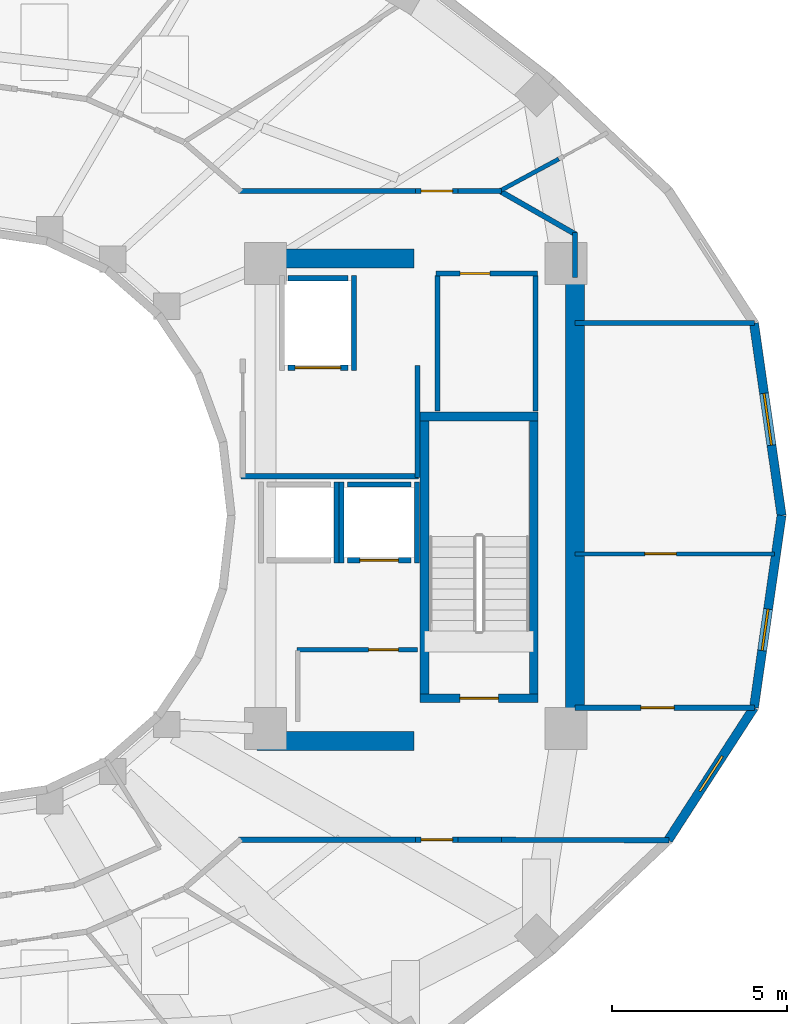
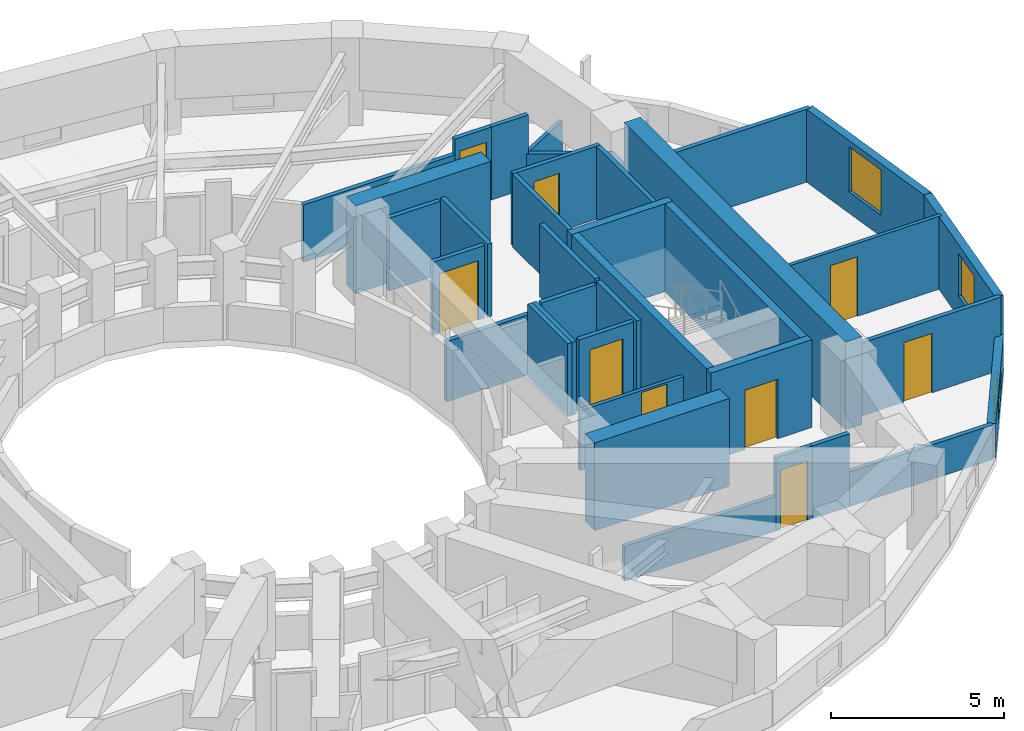
# One storey, part 6 of 9: 37 walls, 9 doors, 3 windows, 12 openings.
"""IFC4 building model written with IfcOpenShell, lengths in metres."""

from ifc_helpers import new_model, si_unit, direction, frame, frame_2d, origin, place, context, subcontext, project, spatial, rectangle, extrude, material, layer, layer_set, type_object, element, fill, save


model = new_model("IFC4")

# Units and contexts
model_context = context("Model", 3, precision=1e-05, world=origin(), true_north=direction((0.0, 1.0)))
body_context = subcontext(model_context, "Body", "Model", "MODEL_VIEW")
ifc_project = project(units=[si_unit("LENGTHUNIT", "METRE"), si_unit("AREAUNIT", "SQUARE_METRE"), si_unit("VOLUMEUNIT", "CUBIC_METRE"), si_unit("PLANEANGLEUNIT", "RADIAN"), si_unit("MASSUNIT", "GRAM", prefix="KILO")], contexts=[model_context])

# Site, building, storey
site_placement = place(None, origin())
site = spatial("IfcSite", under=ifc_project, at=site_placement, CompositionType="ELEMENT")
building_placement = place(site_placement, origin())
building = spatial("IfcBuilding", under=site, at=building_placement, Name="Solvane Sanctuary Tower", CompositionType="ELEMENT")
storey_placement = place(building_placement, frame((0.0, 0.0, 187.0)))
storey = spatial("IfcBuildingStorey", under=building, at=storey_placement, Name="L57", CompositionType="ELEMENT", Elevation=187.0)

# Walls
ifc_material_1 = material(Name="Concrete C50/60", Category="concrete")
ifc_layer_1 = layer(ifc_material_1, 0.550048828125, Name="Concrete C50/60")
ifc_layer_set_1 = layer_set([ifc_layer_1], Name="Concrete C50/60")
wall_type_1 = type_object("IfcWallType", Name="Wall W-CORE-550", PredefinedType="SHEAR", material=ifc_layer_set_1)
wall_1_placement = place(storey_placement, frame((48.949951171875, 17.050048828125, 0.0), z_axis=(0.0, 0.0, 1.0), x_axis=(0.0, 1.0, 0.0)))
element("IfcWall", 1, at=wall_1_placement, inside=storey, type_object=wall_type_1, Name="L57 Core Shear Wall EC-E", PredefinedType="SHEAR", context=body_context, shape_type="SweptSolid", body=[
    extrude(rectangle(XDim=12.800048828125, YDim=0.550048828125, at=frame_2d((6.39990234375, 0.0))), origin(), (0.0, 0.0, 1.0), 3.10009765625),
])
for number, where, z_axis, x_axis, name in (
    (2, (39.85009765625, 16.550048828125, 0.0), (0.0, 0.0, 1.0), (1.0, 0.0, 0.0), "L57 Core Shear Wall EC-S"),
    (3, (39.85009765625, 30.35009765625, 0.0), (0.0, 0.0, 1.0), (1.0, 0.0, 0.0), "L57 Core Shear Wall EC-N"),
):
    element("IfcWall", number, at=place(storey_placement, frame(where, z_axis=z_axis, x_axis=x_axis)), inside=storey, type_object=wall_type_1, Name=name, PredefinedType="SHEAR", context=body_context, shape_type="SweptSolid", body=[
        extrude(rectangle(XDim=4.5, YDim=0.550048828125, at=frame_2d((2.25, 0.0))), origin(), (0.0, 0.0, 1.0), 3.10009765625),
    ])
ifc_material_2 = material(Name="Acoustic Gypsum Partition Board")
ifc_layer_2 = layer(ifc_material_2, 0.14990234375, Name="Acoustic Gypsum Partition Board")
ifc_layer_set_2 = layer_set([ifc_layer_2], Name="Acoustic Gypsum Partition Board")
wall_type_2 = type_object("IfcWallType", Name="Wall W-CORR-150", PredefinedType="PARTITIONING", material=ifc_layer_set_2)
wall_2_placement = place(storey_placement, frame((39.39990234375, 24.1201171875, 0.0), z_axis=(0.0, 0.0, 1.0), x_axis=(1.0, 0.0, 0.0)))
element("IfcWall", 4, at=wall_2_placement, inside=storey, type_object=wall_type_2, Name="L57 East Firefighting Lobby South Wall", PredefinedType="PARTITIONING", context=body_context, shape_type="SweptSolid", body=[
    extrude(rectangle(XDim=5.080078125, YDim=0.14990234375, at=frame_2d((2.5400390625, 0.0))), origin(), (0.0, 0.0, 1.0), 2.1201171875),
])
wall_3_placement = place(storey_placement, frame((44.449951171875, 24.080078125, 0.0), z_axis=(0.0, 0.0, 1.0), x_axis=(0.0, 1.0, 0.0)))
element("IfcWall", 5, at=wall_3_placement, inside=storey, type_object=wall_type_2, Name="L57 East Firefighting Lobby East Wall", PredefinedType="PARTITIONING", context=body_context, shape_type="SweptSolid", body=[
    extrude(rectangle(XDim=3.199951171875, YDim=0.14990234375, at=frame_2d((1.60009765625, 0.0))), origin(), (0.0, 0.0, 1.0), 2.574951171875),
])

# Wall, opening, door
wall_4_placement = place(storey_placement, frame((48.949951171875, 17.4970703125, 0.0), z_axis=(0.0, 0.0, 1.0), x_axis=(1.0, 0.0, 0.0)))
wall_4 = element("IfcWall", 6, at=wall_4_placement, inside=storey, type_object=wall_type_2, Name="L57 East Shoulder South Wall", PredefinedType="PARTITIONING", context=body_context, shape_type="SweptSolid", body=[
    extrude(rectangle(XDim=5.14013671875, YDim=0.14990234375, at=frame_2d((2.570068359375, 0.0))), origin(), (0.0, 0.0, 1.0), 2.574951171875),
])
opening_1_placement = place(wall_4_placement, frame((1.888671875, 0.0, 0.0)))
opening_1 = element("IfcOpeningElement", 7, at=opening_1_placement, cuts=wall_4, Name="Opening D-L57-10", PredefinedType="OPENING", context=body_context, shape_type="SweptSolid", body=[
    extrude(rectangle(XDim=0.949951171875, YDim=2.10009765625, at=frame_2d((0.47509765625, 1.050048828125))), frame((0.0, 0.0849609375, 0.0), z_axis=(0.0, -1.0, 0.0), x_axis=(1.0, 0.0, 0.0)), (0.0, 0.0, 1.0), 0.169921875),
])
ifc_material_3 = material(Name="Engineered Tropical Hardwood", Category="wood")
door_type_1 = type_object("IfcDoorType", Name="Door D-ROOM-950", OperationType="NOTDEFINED", PredefinedType="DOOR", material=ifc_material_3)
door_1_placement = place(opening_1_placement, origin())
door_1 = element("IfcDoor", 8, at=door_1_placement, inside=storey, type_object=door_type_1, Name="L57 East Shoulder South Door", OperationType="SINGLE_SWING_RIGHT", OverallHeight=2.10009765625, OverallWidth=0.949951171875, PredefinedType="DOOR", context=body_context, shape_type="SweptSolid", body=[
    extrude(rectangle(XDim=0.949951171875, YDim=2.10009765625, at=frame_2d((0.47509765625, 1.050048828125))), frame((0.0, 0.02490234375, 0.0), z_axis=(0.0, -1.0, 0.0), x_axis=(1.0, 0.0, 0.0)), (0.0, 0.0, 1.0), 0.050048828125),
])
fill(opening_1, door_1)

# Walls
wall_5_placement = place(storey_placement, frame((48.949951171875, 28.5029296875, 0.0), z_axis=(0.0, 0.0, 1.0), x_axis=(1.0, 0.0, 0.0)))
element("IfcWall", 9, at=wall_5_placement, inside=storey, type_object=wall_type_2, Name="L57 East Shoulder North Wall", PredefinedType="PARTITIONING", context=body_context, shape_type="SweptSolid", body=[
    extrude(rectangle(XDim=5.14013671875, YDim=0.14990234375, at=frame_2d((2.570068359375, 0.0))), origin(), (0.0, 0.0, 1.0), 2.574951171875),
])
wall_6_placement = place(storey_placement, frame((48.949951171875, 29.800048828125, 0.0), z_axis=(0.0, 0.0, 1.0), x_axis=(0.0, 1.0, 0.0)))
element("IfcWall", 10, at=wall_6_placement, inside=storey, type_object=wall_type_2, Name="L57 NE Corner Closer 1", PredefinedType="PARTITIONING", context=body_context, shape_type="SweptSolid", body=[
    extrude(rectangle(XDim=1.2900390625, YDim=0.14990234375, at=frame_2d((0.64501953125, 0.0))), origin(), (0.0, 0.0, 1.0), 1.219970703125),
])
wall_7_placement = place(storey_placement, frame((39.330078125, 32.280029296875, 0.0), z_axis=(0.0, 0.0, 1.0), x_axis=(1.0, 0.0, 0.0)))
element("IfcWall", 11, at=wall_7_placement, inside=storey, type_object=wall_type_2, Name="L57 NE Corner Corridor Wall", PredefinedType="PARTITIONING", context=body_context, shape_type="SweptSolid", body=[
    extrude(rectangle(XDim=5.059814453125, YDim=0.14990234375, at=frame_2d((2.52978515625, 0.0))), origin(), (0.0, 0.0, 1.0), 2.01904296875),
])

# Wall, opening, door
wall_8_placement = place(storey_placement, frame((44.389892578125, 32.280029296875, 0.0), z_axis=(0.0, 0.0, 1.0), x_axis=(1.0, 0.0, 0.0)))
wall_8 = element("IfcWall", 12, at=wall_8_placement, inside=storey, type_object=wall_type_2, Name="L57 NE Corner Corridor Wall", PredefinedType="PARTITIONING", context=body_context, shape_type="SweptSolid", body=[
    extrude(rectangle(XDim=1.22021484375, YDim=0.14990234375, at=frame_2d((0.610107421875, 0.0))), origin(), (0.0, 0.0, 1.0), 2.574951171875),
])
opening_2_placement = place(wall_8_placement, frame((0.159912109375, 0.0, 0.0)))
opening_2 = element("IfcOpeningElement", 13, at=opening_2_placement, cuts=wall_8, Name="Opening D-L57-13", PredefinedType="OPENING", context=body_context, shape_type="SweptSolid", body=[
    extrude(rectangle(XDim=0.89990234375, YDim=2.10009765625, at=frame_2d((0.449951171875, 1.050048828125))), frame((0.0, 0.0849609375, 0.0), z_axis=(0.0, -1.0, 0.0), x_axis=(1.0, 0.0, 0.0)), (0.0, 0.0, 1.0), 0.169921875),
])
door_type_2 = type_object("IfcDoorType", Name="Door D-WET-900", OperationType="NOTDEFINED", PredefinedType="DOOR", material=ifc_material_3)
door_2_placement = place(opening_2_placement, origin())
door_2 = element("IfcDoor", 14, at=door_2_placement, inside=storey, type_object=door_type_2, Name="L57 NE Corner Salon Door", OperationType="SINGLE_SWING_LEFT", OverallHeight=2.10009765625, OverallWidth=0.89990234375, PredefinedType="DOOR", context=body_context, shape_type="SweptSolid", body=[
    extrude(rectangle(XDim=0.89990234375, YDim=2.10009765625, at=frame_2d((0.449951171875, 1.050048828125))), frame((0.0, 0.02490234375, 0.0), z_axis=(0.0, -1.0, 0.0), x_axis=(1.0, 0.0, 0.0)), (0.0, 0.0, 1.0), 0.050048828125),
])
fill(opening_2, door_2)

# Walls
wall_9_placement = place(storey_placement, frame((45.610107421875, 32.280029296875, 0.0), z_axis=(0.0, 0.0, 1.0), x_axis=(1.0, 0.0, 0.0)))
element("IfcWall", 15, at=wall_9_placement, inside=storey, type_object=wall_type_2, Name="L57 NE Corner Corridor Wall", PredefinedType="PARTITIONING", context=body_context, shape_type="SweptSolid", body=[
    extrude(rectangle(XDim=1.239990234375, YDim=0.14990234375, at=frame_2d((0.6201171875, 0.0))), origin(), (0.0, 0.0, 1.0), 2.574951171875),
])
wall_10_placement = place(storey_placement, frame((46.756591796875, 32.3046875, 0.0), z_axis=(0.0, 0.0, 1.0), x_axis=(0.867991349648, -0.496579315857, 0.0)))
element("IfcWall", 16, at=wall_10_placement, inside=storey, type_object=wall_type_2, Name="L57 NE Corner Wing Wall", PredefinedType="PARTITIONING", context=body_context, shape_type="SweptSolid", body=[
    extrude(rectangle(XDim=2.56689453125, YDim=0.14990234375, at=frame_2d((1.283447265625, 0.0))), origin(), (0.0, 0.0, 1.0), 1.219970703125),
])
wall_11_placement = place(storey_placement, frame((39.330078125, 13.719970703125, 0.0), z_axis=(0.0, 0.0, 1.0), x_axis=(1.0, 0.0, 0.0)))
element("IfcWall", 17, at=wall_11_placement, inside=storey, type_object=wall_type_2, Name="L57 SE Corner Corridor Wall", PredefinedType="PARTITIONING", context=body_context, shape_type="SweptSolid", body=[
    extrude(rectangle(XDim=5.059814453125, YDim=0.14990234375, at=frame_2d((2.52978515625, 0.0))), origin(), (0.0, 0.0, 1.0), 1.219970703125),
])

# Wall, opening, door
wall_12_placement = place(storey_placement, frame((44.389892578125, 13.719970703125, 0.0), z_axis=(0.0, 0.0, 1.0), x_axis=(1.0, 0.0, 0.0)))
wall_12 = element("IfcWall", 18, at=wall_12_placement, inside=storey, type_object=wall_type_2, Name="L57 SE Corner Corridor Wall", PredefinedType="PARTITIONING", context=body_context, shape_type="SweptSolid", body=[
    extrude(rectangle(XDim=1.22021484375, YDim=0.14990234375, at=frame_2d((0.610107421875, 0.0))), origin(), (0.0, 0.0, 1.0), 2.574951171875),
])
opening_3_placement = place(wall_12_placement, frame((0.159912109375, 0.0, 0.0)))
opening_3 = element("IfcOpeningElement", 19, at=opening_3_placement, cuts=wall_12, Name="Opening D-L57-19", PredefinedType="OPENING", context=body_context, shape_type="SweptSolid", body=[
    extrude(rectangle(XDim=0.89990234375, YDim=2.10009765625, at=frame_2d((0.449951171875, 1.050048828125))), frame((0.0, 0.0849609375, 0.0), z_axis=(0.0, -1.0, 0.0), x_axis=(1.0, 0.0, 0.0)), (0.0, 0.0, 1.0), 0.169921875),
])
door_3_placement = place(opening_3_placement, origin())
door_3 = element("IfcDoor", 20, at=door_3_placement, inside=storey, type_object=door_type_2, Name="L57 SE Corner Salon Door", OperationType="SINGLE_SWING_LEFT", OverallHeight=2.10009765625, OverallWidth=0.89990234375, PredefinedType="DOOR", context=body_context, shape_type="SweptSolid", body=[
    extrude(rectangle(XDim=0.89990234375, YDim=2.10009765625, at=frame_2d((0.449951171875, 1.050048828125))), frame((0.0, 0.02490234375, 0.0), z_axis=(0.0, -1.0, 0.0), x_axis=(1.0, 0.0, 0.0)), (0.0, 0.0, 1.0), 0.050048828125),
])
fill(opening_3, door_3)

# Walls
wall_13_placement = place(storey_placement, frame((45.610107421875, 13.719970703125, 0.0), z_axis=(0.0, 0.0, 1.0), x_axis=(1.0, 0.0, 0.0)))
element("IfcWall", 21, at=wall_13_placement, inside=storey, type_object=wall_type_2, Name="L57 SE Corner Corridor Wall", PredefinedType="PARTITIONING", context=body_context, shape_type="SweptSolid", body=[
    extrude(rectangle(XDim=1.239990234375, YDim=0.14990234375, at=frame_2d((0.6201171875, 0.0))), origin(), (0.0, 0.0, 1.0), 2.574951171875),
])
wall_14_placement = place(storey_placement, frame((46.75, 13.72021484375, 0.0), z_axis=(0.0, 0.0, 1.0), x_axis=(0.999997122315, -0.00239903348, 0.0)))
element("IfcWall", 22, at=wall_14_placement, inside=storey, type_object=wall_type_2, Name="L57 SE Corner Wing Wall", PredefinedType="PARTITIONING", context=body_context, shape_type="SweptSolid", body=[
    extrude(rectangle(XDim=4.884765625, YDim=0.14990234375, at=frame_2d((2.4423828125, 0.0))), origin(), (0.0, 0.0, 1.0), 1.219970703125),
])

# Wall, opening, window
ifc_material_4 = material(Name="Precast concrete C40/50", Category="concrete")
ifc_layer_3 = layer(ifc_material_4, 0.260009765625, Name="Precast concrete C40/50")
ifc_layer_set_3 = layer_set([ifc_layer_3], Name="Precast concrete C40/50")
wall_type_3 = type_object("IfcWallType", Name="Wall W-EXT-250", PredefinedType="STANDARD", material=ifc_layer_set_3)
wall_15_placement = place(storey_placement, frame((54.860107421875, 23.0, 0.0), z_axis=(0.0, 0.0, 1.0), x_axis=(-0.142227632286, 0.989833976288, 0.0)))
wall_15 = element("IfcWall", 23, at=wall_15_placement, inside=storey, type_object=wall_type_3, Name="L57 Ceramic-Printed Facade Wall 00", PredefinedType="STANDARD", context=body_context, shape_type="SweptSolid", body=[
    extrude(rectangle(XDim=5.552978515625, YDim=0.260009765625, at=frame_2d((2.7763671875, 0.0))), origin(), (0.0, 0.0, 1.0), 2.570068359375),
])
opening_4_placement = place(wall_15_placement, frame((2.026611328125, 0.0, 0.75)))
opening_4 = element("IfcOpeningElement", 24, at=opening_4_placement, cuts=wall_15, Name="Opening WN-OPER-1500", PredefinedType="OPENING", context=body_context, shape_type="SweptSolid", body=[
    extrude(rectangle(XDim=1.5, YDim=1.60009765625, at=frame_2d((0.75, 0.800048828125))), frame((0.0, 0.139892578125, 0.0), z_axis=(0.0, -1.0, 0.0), x_axis=(1.0, 0.0, 0.0)), (0.0, 0.0, 1.0), 0.280029296875),
])
ifc_material_5 = material(Name="Dark Ceramic-Fritted Low-E Glass", Category="glass")
window_type_1 = type_object("IfcWindowType", Name="Window WN-OPER-1500", PartitioningType="SINGLE_PANEL", PredefinedType="WINDOW", material=ifc_material_5)
window_1_placement = place(opening_4_placement, origin())
window_1 = element("IfcWindow", 25, at=window_1_placement, inside=storey, type_object=window_type_1, Name="L57 Operable Facade Window 00", OverallHeight=1.60009765625, OverallWidth=1.5, PartitioningType="SINGLE_PANEL", PredefinedType="WINDOW", context=body_context, shape_type="SweptSolid", body=[
    extrude(rectangle(XDim=1.5, YDim=1.60009765625, at=frame_2d((0.75, 0.800048828125))), frame((0.0, 0.030029296875, 0.0), z_axis=(0.0, -1.0, 0.0), x_axis=(1.0, 0.0, 0.0)), (0.0, 0.0, 1.0), 0.06005859375),
])
fill(opening_4, window_1)

wall_16_placement = place(storey_placement, frame((51.619140625, 13.71630859375, 0.0), z_axis=(0.0, 0.0, 1.0), x_axis=(0.543358984534, 0.839500454989, 0.0)))
wall_16 = element("IfcWall", 26, at=wall_16_placement, inside=storey, type_object=wall_type_3, Name="L57 Ceramic-Printed Facade Wall 22", PredefinedType="STANDARD", context=body_context, shape_type="SweptSolid", body=[
    extrude(rectangle(XDim=4.51123046875, YDim=0.260009765625, at=frame_2d((2.255615234375, 0.0))), origin(), (0.0, 0.0, 1.0), 1.219970703125),
])
opening_5_placement = place(wall_16_placement, frame((1.655517578125, 0.0, 0.14990234375)))
opening_5 = element("IfcOpeningElement", 27, at=opening_5_placement, cuts=wall_16, Name="Opening WN-OPER-1200", PredefinedType="OPENING", context=body_context, shape_type="SweptSolid", body=[
    extrude(rectangle(XDim=1.199951171875, YDim=0.89990234375, at=frame_2d((0.60009765625, 0.449951171875))), frame((0.0, 0.139892578125, 0.0), z_axis=(0.0, -1.0, 0.0), x_axis=(1.0, 0.0, 0.0)), (0.0, 0.0, 1.0), 0.280029296875),
])
window_type_2 = type_object("IfcWindowType", Name="Window WN-OPER-1200", PartitioningType="SINGLE_PANEL", PredefinedType="WINDOW", material=ifc_material_5)
window_2_placement = place(opening_5_placement, origin())
window_2 = element("IfcWindow", 28, at=window_2_placement, inside=storey, type_object=window_type_2, Name="L57 Operable Facade Window 22", OverallHeight=0.89990234375, OverallWidth=1.199951171875, PartitioningType="SINGLE_PANEL", PredefinedType="WINDOW", context=body_context, shape_type="SweptSolid", body=[
    extrude(rectangle(XDim=1.199951171875, YDim=0.89990234375, at=frame_2d((0.60009765625, 0.449951171875))), frame((0.0, 0.030029296875, 0.0), z_axis=(0.0, -1.0, 0.0), x_axis=(1.0, 0.0, 0.0)), (0.0, 0.0, 1.0), 0.06005859375),
])
fill(opening_5, window_2)

wall_17_placement = place(storey_placement, frame((54.0703125, 17.50341796875, 0.0), z_axis=(0.0, 0.0, 1.0), x_axis=(0.142227632286, 0.989833976288, 0.0)))
wall_17 = element("IfcWall", 29, at=wall_17_placement, inside=storey, type_object=wall_type_3, Name="L57 Ceramic-Printed Facade Wall 23", PredefinedType="STANDARD", context=body_context, shape_type="SweptSolid", body=[
    extrude(rectangle(XDim=5.552978515625, YDim=0.260009765625, at=frame_2d((2.7763671875, 0.0))), origin(), (0.0, 0.0, 1.0), 2.570068359375),
])
opening_6_placement = place(wall_17_placement, frame((1.645751953125, 0.0, 0.75)))
opening_6 = element("IfcOpeningElement", 30, at=opening_6_placement, cuts=wall_17, Name="Opening WN-OPER-1200", PredefinedType="OPENING", context=body_context, shape_type="SweptSolid", body=[
    extrude(rectangle(XDim=1.199951171875, YDim=1.5, at=frame_2d((0.60009765625, 0.75))), frame((0.0, 0.139892578125, 0.0), z_axis=(0.0, -1.0, 0.0), x_axis=(1.0, 0.0, 0.0)), (0.0, 0.0, 1.0), 0.280029296875),
])
window_3_placement = place(opening_6_placement, origin())
window_3 = element("IfcWindow", 31, at=window_3_placement, inside=storey, type_object=window_type_2, Name="L57 Operable Facade Window 23", OverallHeight=1.5, OverallWidth=1.199951171875, PartitioningType="SINGLE_PANEL", PredefinedType="WINDOW", context=body_context, shape_type="SweptSolid", body=[
    extrude(rectangle(XDim=1.199951171875, YDim=1.5, at=frame_2d((0.60009765625, 0.75))), frame((0.0, 0.030029296875, 0.0), z_axis=(0.0, -1.0, 0.0), x_axis=(1.0, 0.0, 0.0)), (0.0, 0.0, 1.0), 0.06005859375),
])
fill(opening_6, window_3)

# Wall, opening, door
ifc_layer_4 = layer(ifc_material_2, 0.1201171875, Name="Acoustic Gypsum Partition Board")
ifc_layer_set_4 = layer_set([ifc_layer_4], Name="Acoustic Gypsum Partition Board")
wall_type_4 = type_object("IfcWallType", Name="Wall W-MOV-100", PredefinedType="MOVABLE", material=ifc_layer_set_4)
wall_18_placement = place(storey_placement, frame((48.949951171875, 21.89990234375, 0.0), z_axis=(0.0, 0.0, 1.0), x_axis=(1.0, 0.0, 0.0)))
wall_18 = element("IfcWall", 32, at=wall_18_placement, inside=storey, type_object=wall_type_4, Name="L57 East Suite Partition", PredefinedType="MOVABLE", context=body_context, shape_type="SweptSolid", body=[
    extrude(rectangle(XDim=5.712158203125, YDim=0.1201171875, at=frame_2d((2.85595703125, 0.0))), origin(), (0.0, 0.0, 1.0), 2.574951171875),
])
opening_7_placement = place(wall_18_placement, frame((2.0, 0.0, 0.0)))
opening_7 = element("IfcOpeningElement", 33, at=opening_7_placement, cuts=wall_18, Name="Opening D-L57-11", PredefinedType="OPENING", context=body_context, shape_type="SweptSolid", body=[
    extrude(rectangle(XDim=0.89990234375, YDim=2.10009765625, at=frame_2d((0.449951171875, 1.050048828125))), frame((0.0, 0.070068359375, 0.0), z_axis=(0.0, -1.0, 0.0), x_axis=(1.0, 0.0, 0.0)), (0.0, 0.0, 1.0), 0.14013671875),
])
door_4_placement = place(opening_7_placement, origin())
door_4 = element("IfcDoor", 34, at=door_4_placement, inside=storey, type_object=door_type_2, Name="L57 East Suite Internal Door", OperationType="SINGLE_SWING_LEFT", OverallHeight=2.10009765625, OverallWidth=0.89990234375, PredefinedType="DOOR", context=body_context, shape_type="SweptSolid", body=[
    extrude(rectangle(XDim=0.89990234375, YDim=2.10009765625, at=frame_2d((0.449951171875, 1.050048828125))), frame((0.0, 0.02490234375, 0.0), z_axis=(0.0, -1.0, 0.0), x_axis=(1.0, 0.0, 0.0)), (0.0, 0.0, 1.0), 0.050048828125),
])
fill(opening_7, door_4)

# Wall
wall_19_placement = place(storey_placement, frame((46.756103515625, 32.256103515625, 0.0), z_axis=(0.0, 0.0, 1.0), x_axis=(0.879406539295, 0.476071568828, 0.0)))
element("IfcWall", 35, at=wall_19_placement, inside=storey, type_object=wall_type_4, Name="L57 NE Corner Suite Partition", PredefinedType="MOVABLE", context=body_context, shape_type="SweptSolid", body=[
    extrude(rectangle(XDim=1.97021484375, YDim=0.1201171875, at=frame_2d((0.985107421875, 0.0))), origin(), (0.0, 0.0, 1.0), 1.219970703125),
])

# Wall, opening, door
ifc_layer_5 = layer(ifc_material_2, 0.125, Name="Acoustic Gypsum Partition Board")
ifc_layer_set_5 = layer_set([ifc_layer_5], Name="Acoustic Gypsum Partition Board")
wall_type_5 = type_object("IfcWallType", Name="Wall W-PART-125", PredefinedType="PARTITIONING", material=ifc_layer_set_5)
wall_20_placement = place(storey_placement, frame((41.0, 19.159912109375, 0.0), z_axis=(0.0, 0.0, 1.0), x_axis=(1.0, 0.0, 0.0)))
wall_20 = element("IfcWall", 36, at=wall_20_placement, inside=storey, type_object=wall_type_5, Name="L57 Reclaimed Room Partition PLE", PredefinedType="PARTITIONING", context=body_context, shape_type="SweptSolid", body=[
    extrude(rectangle(XDim=3.449951171875, YDim=0.125, at=frame_2d((1.72509765625, 0.0))), origin(), (0.0, 0.0, 1.0), 2.1201171875),
])
opening_8_placement = place(wall_20_placement, frame((2.050048828125, 0.0, 0.0)))
opening_8 = element("IfcOpeningElement", 37, at=opening_8_placement, cuts=wall_20, Name="Opening D-L57-07", PredefinedType="OPENING", context=body_context, shape_type="SweptSolid", body=[
    extrude(rectangle(XDim=0.85009765625, YDim=2.050048828125, at=frame_2d((0.425048828125, 1.02490234375))), frame((0.0, 0.072509765625, 0.0), z_axis=(0.0, -1.0, 0.0), x_axis=(1.0, 0.0, 0.0)), (0.0, 0.0, 1.0), 0.14501953125),
])
ifc_material_6 = material(Name="Architectural Stainless Steel 316", Category="steel")
door_type_3 = type_object("IfcDoorType", Name="Door D-RISER", OperationType="NOTDEFINED", PredefinedType="DOOR", material=ifc_material_6)
door_5_placement = place(opening_8_placement, origin())
door_5 = element("IfcDoor", 38, at=door_5_placement, inside=storey, type_object=door_type_3, Name="L57 Reclaimed Room Door PLE-1", OperationType="SINGLE_SWING_LEFT", OverallHeight=2.050048828125, OverallWidth=0.85009765625, PredefinedType="DOOR", context=body_context, shape_type="SweptSolid", body=[
    extrude(rectangle(XDim=0.85009765625, YDim=2.050048828125, at=frame_2d((0.425048828125, 1.02490234375))), frame((0.0, 0.02490234375, 0.0), z_axis=(0.0, -1.0, 0.0), x_axis=(1.0, 0.0, 0.0)), (0.0, 0.0, 1.0), 0.050048828125),
])
fill(opening_8, door_5)

ifc_layer_6 = layer(ifc_material_1, 0.14990234375, Name="Concrete C50/60")
ifc_layer_set_6 = layer_set([ifc_layer_6], Name="Concrete C50/60")
wall_type_6 = type_object("IfcWallType", Name="Wall W-SHAFT-150", PredefinedType="SOLIDWALL", material=ifc_layer_set_6)
wall_21_placement = place(storey_placement, frame((42.43994140625, 21.719970703125, 0.0), z_axis=(0.0, 0.0, 1.0), x_axis=(1.0, 0.0, 0.0)))
wall_21 = element("IfcWall", 39, at=wall_21_placement, inside=storey, type_object=wall_type_6, Name="L57 PM-2 Lift Shaft Wall F", PredefinedType="SOLIDWALL", context=body_context, shape_type="SweptSolid", body=[
    extrude(rectangle(XDim=1.820068359375, YDim=0.14990234375, at=frame_2d((0.91015625, 0.0))), origin(), (0.0, 0.0, 1.0), 2.574951171875),
])
opening_9_placement = place(wall_21_placement, frame((0.360107421875, 0.0, 0.0)))
opening_9 = element("IfcOpeningElement", 40, at=opening_9_placement, cuts=wall_21, Name="Opening LD-L57-02", PredefinedType="OPENING", context=body_context, shape_type="SweptSolid", body=[
    extrude(rectangle(XDim=1.10009765625, YDim=2.10009765625, at=frame_2d((0.550048828125, 1.050048828125))), frame((0.0, 0.0849609375, 0.0), z_axis=(0.0, -1.0, 0.0), x_axis=(1.0, 0.0, 0.0)), (0.0, 0.0, 1.0), 0.169921875),
])
door_type_4 = type_object("IfcDoorType", Name="Door LD-PASS-1100", OperationType="NOTDEFINED", PredefinedType="DOOR", material=ifc_material_6)
door_6_placement = place(opening_9_placement, origin())
door_6 = element("IfcDoor", 41, at=door_6_placement, inside=storey, type_object=door_type_4, Name="L57 PM-2 Lift Landing Door", OperationType="DOUBLE_DOOR_SLIDING", OverallHeight=2.10009765625, OverallWidth=1.10009765625, PredefinedType="DOOR", context=body_context, shape_type="SweptSolid", body=[
    extrude(rectangle(XDim=1.10009765625, YDim=2.10009765625, at=frame_2d((0.550048828125, 1.050048828125))), frame((0.0, 0.02490234375, 0.0), z_axis=(0.0, -1.0, 0.0), x_axis=(1.0, 0.0, 0.0)), (0.0, 0.0, 1.0), 0.050048828125),
])
fill(opening_9, door_6)

# Walls
wall_22_placement = place(storey_placement, frame((42.43994140625, 23.8798828125, 0.0), z_axis=(0.0, 0.0, 1.0), x_axis=(1.0, 0.0, 0.0)))
element("IfcWall", 42, at=wall_22_placement, inside=storey, type_object=wall_type_6, Name="L57 PM-2 Lift Shaft Wall B", PredefinedType="SOLIDWALL", context=body_context, shape_type="SweptSolid", body=[
    extrude(rectangle(XDim=1.820068359375, YDim=0.14990234375, at=frame_2d((0.91015625, 0.0))), origin(), (0.0, 0.0, 1.0), 2.574951171875),
])
for number, where, z_axis, x_axis, name in (
    (43, (42.27001953125, 21.639892578125, 0.0), (0.0, 0.0, 1.0), (0.0, 1.0, 0.0), "L57 PM-2 Lift Shaft Wall S1"),
    (44, (44.429931640625, 21.639892578125, 0.0), (0.0, 0.0, 1.0), (0.0, 1.0, 0.0), "L57 PM-2 Lift Shaft Wall S2"),
    (45, (42.1298828125, 21.639892578125, 0.0), (0.0, 0.0, 1.0), (0.0, 1.0, 0.0), "L57 PH-2 Lift Shaft Wall S2"),
):
    element("IfcWall", number, at=place(storey_placement, frame(where, z_axis=z_axis, x_axis=x_axis)), inside=storey, type_object=wall_type_6, Name=name, PredefinedType="SOLIDWALL", context=body_context, shape_type="SweptSolid", body=[
        extrude(rectangle(XDim=2.320068359375, YDim=0.14990234375, at=frame_2d((1.16015625, 0.0))), origin(), (0.0, 0.0, 1.0), 2.574951171875),
    ])

# Wall, opening, door
wall_23_placement = place(storey_placement, frame((40.739990234375, 27.219970703125, 0.0), z_axis=(0.0, 0.0, 1.0), x_axis=(1.0, 0.0, 0.0)))
wall_23 = element("IfcWall", 46, at=wall_23_placement, inside=storey, type_object=wall_type_6, Name="L57 FFL-2 Lift Shaft Wall F", PredefinedType="SOLIDWALL", context=body_context, shape_type="SweptSolid", body=[
    extrude(rectangle(XDim=1.719970703125, YDim=0.14990234375, at=frame_2d((0.85986328125, 0.0))), origin(), (0.0, 0.0, 1.0), 2.574951171875),
])
opening_10_placement = place(wall_23_placement, frame((0.2099609375, 0.0, 0.0)))
opening_10 = element("IfcOpeningElement", 47, at=opening_10_placement, cuts=wall_23, Name="Opening LD-L57-05", PredefinedType="OPENING", context=body_context, shape_type="SweptSolid", body=[
    extrude(rectangle(XDim=1.300048828125, YDim=2.10009765625, at=frame_2d((0.64990234375, 1.050048828125))), frame((0.0, 0.0849609375, 0.0), z_axis=(0.0, -1.0, 0.0), x_axis=(1.0, 0.0, 0.0)), (0.0, 0.0, 1.0), 0.169921875),
])
door_type_5 = type_object("IfcDoorType", Name="Door LD-FFL-1300", OperationType="NOTDEFINED", PredefinedType="DOOR", material=ifc_material_6)
door_7_placement = place(opening_10_placement, origin())
door_7 = element("IfcDoor", 48, at=door_7_placement, inside=storey, type_object=door_type_5, Name="L57 FFL-2 Lift Landing Door", OperationType="DOUBLE_DOOR_SLIDING", OverallHeight=2.10009765625, OverallWidth=1.300048828125, PredefinedType="DOOR", context=body_context, shape_type="SweptSolid", body=[
    extrude(rectangle(XDim=1.300048828125, YDim=2.10009765625, at=frame_2d((0.64990234375, 1.050048828125))), frame((0.0, 0.02490234375, 0.0), z_axis=(0.0, -1.0, 0.0), x_axis=(1.0, 0.0, 0.0)), (0.0, 0.0, 1.0), 0.050048828125),
])
fill(opening_10, door_7)

# Walls
wall_24_placement = place(storey_placement, frame((40.739990234375, 29.780029296875, 0.0), z_axis=(0.0, 0.0, 1.0), x_axis=(1.0, 0.0, 0.0)))
element("IfcWall", 49, at=wall_24_placement, inside=storey, type_object=wall_type_6, Name="L57 FFL-2 Lift Shaft Wall B", PredefinedType="SOLIDWALL", context=body_context, shape_type="SweptSolid", body=[
    extrude(rectangle(XDim=1.719970703125, YDim=0.14990234375, at=frame_2d((0.85986328125, 0.0))), origin(), (0.0, 0.0, 1.0), 2.574951171875),
])
wall_25_placement = place(storey_placement, frame((42.6298828125, 27.139892578125, 0.0), z_axis=(0.0, 0.0, 1.0), x_axis=(0.0, 1.0, 0.0)))
element("IfcWall", 50, at=wall_25_placement, inside=storey, type_object=wall_type_6, Name="L57 FFL-2 Lift Shaft Wall S2", PredefinedType="SOLIDWALL", context=body_context, shape_type="SweptSolid", body=[
    extrude(rectangle(XDim=2.72021484375, YDim=0.14990234375, at=frame_2d((1.360107421875, 0.0))), origin(), (0.0, 0.0, 1.0), 2.574951171875),
])

# Wall, opening, door
ifc_layer_7 = layer(ifc_material_1, 0.25, Name="Concrete C50/60")
ifc_layer_set_7 = layer_set([ifc_layer_7], Name="Concrete C50/60")
wall_type_7 = type_object("IfcWallType", Name="Wall W-SHAFT-250", PredefinedType="SOLIDWALL", material=ifc_layer_set_7)
wall_26_placement = place(storey_placement, frame((44.52490234375, 17.77001953125, 0.0), z_axis=(0.0, 0.0, 1.0), x_axis=(1.0, 0.0, 0.0)))
wall_26 = element("IfcWall", 51, at=wall_26_placement, inside=storey, type_object=wall_type_7, Name="L57 ST-2 Load-Bearing Shaft Wall S", PredefinedType="SOLIDWALL", context=body_context, shape_type="SweptSolid", body=[
    extrude(rectangle(XDim=3.3701171875, YDim=0.25, at=frame_2d((1.68505859375, 0.0))), origin(), (0.0, 0.0, 1.0), 3.10009765625),
])
opening_11_placement = place(wall_26_placement, frame((1.135009765625, 0.0, 0.0)))
opening_11 = element("IfcOpeningElement", 52, at=opening_11_placement, cuts=wall_26, Name="Opening D-L57-02", PredefinedType="OPENING", context=body_context, shape_type="SweptSolid", body=[
    extrude(rectangle(XDim=1.10009765625, YDim=2.10009765625, at=frame_2d((0.550048828125, 1.050048828125))), frame((0.0, 0.135009765625, 0.0), z_axis=(0.0, -1.0, 0.0), x_axis=(1.0, 0.0, 0.0)), (0.0, 0.0, 1.0), 0.27001953125),
])
door_type_6 = type_object("IfcDoorType", Name="Door D-STAIR", OperationType="NOTDEFINED", PredefinedType="DOOR", material=ifc_material_6)
door_8_placement = place(opening_11_placement, origin())
door_8 = element("IfcDoor", 53, at=door_8_placement, inside=storey, type_object=door_type_6, Name="L57 ST-2 Exit Stair Fire Door", OperationType="SINGLE_SWING_RIGHT", OverallHeight=2.10009765625, OverallWidth=1.10009765625, PredefinedType="DOOR", context=body_context, shape_type="SweptSolid", body=[
    extrude(rectangle(XDim=1.10009765625, YDim=2.10009765625, at=frame_2d((0.550048828125, 1.050048828125))), frame((0.0, 0.02490234375, 0.0), z_axis=(0.0, -1.0, 0.0), x_axis=(1.0, 0.0, 0.0)), (0.0, 0.0, 1.0), 0.050048828125),
])
fill(opening_11, door_8)

# Walls
wall_27_placement = place(storey_placement, frame((44.52490234375, 25.830078125, 0.0), z_axis=(0.0, 0.0, 1.0), x_axis=(1.0, 0.0, 0.0)))
element("IfcWall", 54, at=wall_27_placement, inside=storey, type_object=wall_type_7, Name="L57 ST-2 Load-Bearing Shaft Wall N", PredefinedType="SOLIDWALL", context=body_context, shape_type="SweptSolid", body=[
    extrude(rectangle(XDim=3.3701171875, YDim=0.25, at=frame_2d((1.68505859375, 0.0))), origin(), (0.0, 0.0, 1.0), 3.10009765625),
])
for number, where, z_axis, x_axis, name in (
    (55, (44.64990234375, 17.89501953125, 0.0), (0.0, 0.0, 1.0), (0.0, 1.0, 0.0), "L57 ST-2 Load-Bearing Shaft Wall W"),
    (56, (47.77001953125, 17.89501953125, 0.0), (0.0, 0.0, 1.0), (0.0, 1.0, 0.0), "L57 ST-2 Load-Bearing Shaft Wall E"),
):
    element("IfcWall", number, at=place(storey_placement, frame(where, z_axis=z_axis, x_axis=x_axis)), inside=storey, type_object=wall_type_7, Name=name, PredefinedType="SOLIDWALL", context=body_context, shape_type="SweptSolid", body=[
        extrude(rectangle(XDim=7.81005859375, YDim=0.25, at=frame_2d((3.905029296875, 0.0))), origin(), (0.0, 0.0, 1.0), 3.10009765625),
    ])

# Wall, opening, door
ifc_layer_8 = layer(ifc_material_2, 0.139892578125, Name="Acoustic Gypsum Partition Board")
ifc_layer_set_8 = layer_set([ifc_layer_8], Name="Acoustic Gypsum Partition Board")
wall_type_8 = type_object("IfcWallType", Name="Wall W-WET-140", PredefinedType="PLUMBINGWALL", material=ifc_layer_set_8)
wall_28_placement = place(storey_placement, frame((44.97998046875, 29.919921875, 0.0), z_axis=(0.0, 0.0, 1.0), x_axis=(1.0, 0.0, 0.0)))
wall_28 = element("IfcWall", 57, at=wall_28_placement, inside=storey, type_object=wall_type_8, Name="L57 Core Service Front Wall KE0", PredefinedType="PLUMBINGWALL", context=body_context, shape_type="SweptSolid", body=[
    extrude(rectangle(XDim=2.89990234375, YDim=0.139892578125, at=frame_2d((1.449951171875, 0.0))), origin(), (0.0, 0.0, 1.0), 2.574951171875),
])
opening_12_placement = place(wall_28_placement, frame((0.685546875, 0.0, 0.0)))
opening_12 = element("IfcOpeningElement", 58, at=opening_12_placement, cuts=wall_28, Name="Opening D-L57-09", PredefinedType="OPENING", context=body_context, shape_type="SweptSolid", body=[
    extrude(rectangle(XDim=0.85009765625, YDim=2.050048828125, at=frame_2d((0.425048828125, 1.02490234375))), frame((0.0, 0.079833984375, 0.0), z_axis=(0.0, -1.0, 0.0), x_axis=(1.0, 0.0, 0.0)), (0.0, 0.0, 1.0), 0.159912109375),
])
door_9_placement = place(opening_12_placement, origin())
door_9 = element("IfcDoor", 59, at=door_9_placement, inside=storey, type_object=door_type_3, Name="L57 Core Service Room Door KE0-1", OperationType="SINGLE_SWING_LEFT", OverallHeight=2.050048828125, OverallWidth=0.85009765625, PredefinedType="DOOR", context=body_context, shape_type="SweptSolid", body=[
    extrude(rectangle(XDim=0.85009765625, YDim=2.050048828125, at=frame_2d((0.425048828125, 1.02490234375))), frame((0.0, 0.02490234375, 0.0), z_axis=(0.0, -1.0, 0.0), x_axis=(1.0, 0.0, 0.0)), (0.0, 0.0, 1.0), 0.050048828125),
])
fill(opening_12, door_9)

# Walls
for number, where, z_axis, x_axis, name in (
    (60, (45.02001953125, 25.97998046875, 0.0), (0.0, 0.0, 1.0), (0.0, 1.0, 0.0), "L57 Core Service Side Wall KE0-1"),
    (61, (47.820068359375, 25.97998046875, 0.0), (0.0, 0.0, 1.0), (0.0, 1.0, 0.0), "L57 Core Service Side Wall KE0-2"),
):
    element("IfcWall", number, at=place(storey_placement, frame(where, z_axis=z_axis, x_axis=x_axis)), inside=storey, type_object=wall_type_8, Name=name, PredefinedType="PLUMBINGWALL", context=body_context, shape_type="SweptSolid", body=[
        extrude(rectangle(XDim=3.880126953125, YDim=0.139892578125, at=frame_2d((1.93994140625, 0.0))), origin(), (0.0, 0.0, 1.0), 2.574951171875),
    ])

save(model, "model.ifc")
